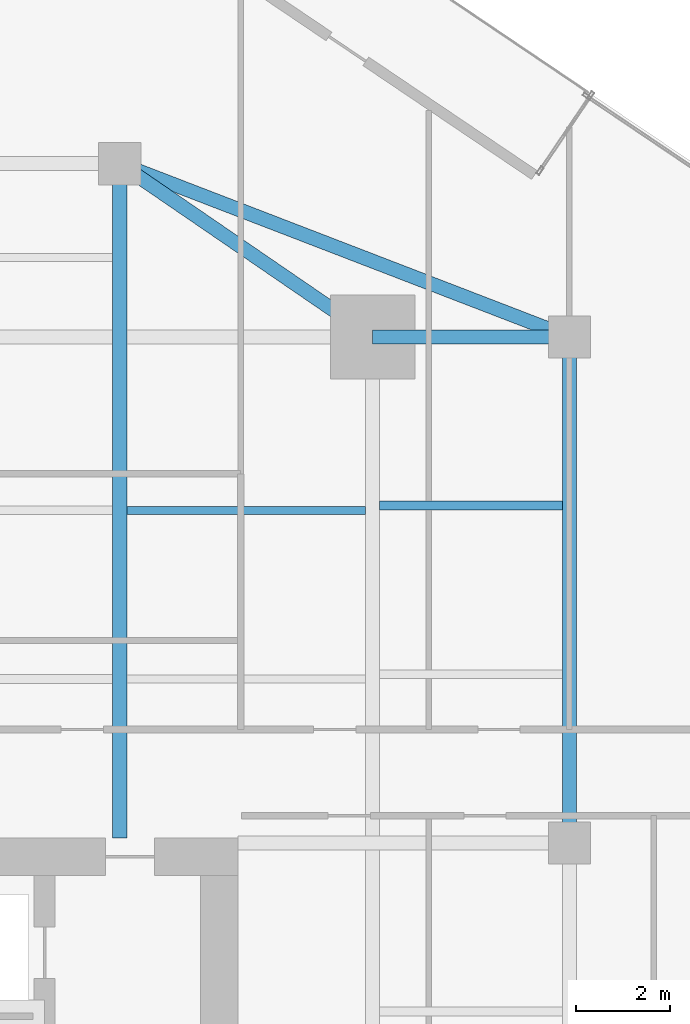
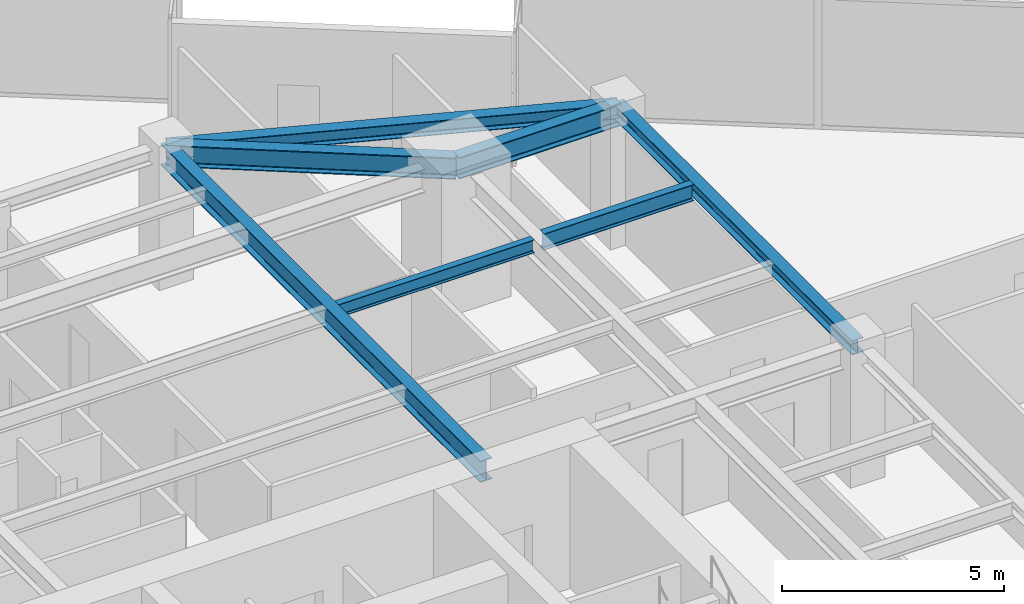
# One storey, part 18 of 27: 7 beams.
"""IFC4 building model written with IfcOpenShell, lengths in metres."""

from ifc_helpers import new_model, si_unit, direction, frame, origin, origin_2d, place, context, subcontext, project, spatial, i_section, extrude, source, transform, mapped, material, material_profile, profile_set, type_object, type_shapes, element, save


model = new_model("IFC4")

# Units and contexts
model_context = context("Model", 3, precision=1e-05, world=origin(), true_north=direction((0.0, 1.0)))
body_context = subcontext(model_context, "Body", "Model", "MODEL_VIEW")
ifc_project = project(units=[si_unit("LENGTHUNIT", "METRE"), si_unit("AREAUNIT", "SQUARE_METRE"), si_unit("VOLUMEUNIT", "CUBIC_METRE"), si_unit("PLANEANGLEUNIT", "RADIAN"), si_unit("MASSUNIT", "GRAM", prefix="KILO")], contexts=[model_context])

# Site, building, storey
site_placement = place(None, origin())
site = spatial("IfcSite", under=ifc_project, at=site_placement, CompositionType="ELEMENT")
building_placement = place(site_placement, origin())
building = spatial("IfcBuilding", under=site, at=building_placement, Name="Krantzveldt Concourse Tower", CompositionType="ELEMENT")
storey_placement = place(building_placement, frame((0.0, 0.0, 189.64990234375)))
storey = spatial("IfcBuildingStorey", under=building, at=storey_placement, Name="L46", CompositionType="ELEMENT", Elevation=189.64990234375)

# Beams
ifc_material = material(Name="Steel S355JR", Category="steel")
ifc_material_profile_1 = material_profile(ifc_material, i_section(OverallWidth=0.300048828125, OverallDepth=0.590087890625, WebThickness=0.012939453125, FlangeThickness=0.02490234375, FilletRadius=0.027099609375, at=origin_2d()), Name="Steel S355JR", Category="steel")
ifc_profile_set_1 = profile_set([ifc_material_profile_1], Name="Steel S355JR - HEA 600")
beam_type_1 = type_object("IfcBeamType", Name="BM-B-HEA600", PredefinedType="BEAM", material=ifc_profile_set_1)
shared_shape_1 = source(origin(), body_context, "Body", "SweptSolid", [
    extrude(i_section(OverallWidth=0.300048828125, OverallDepth=0.590087890625, WebThickness=0.012939453125, FlangeThickness=0.02490234375, FilletRadius=0.027099609375, at=origin_2d()), origin(), (0.0, 0.0, 1.0), 14.39990234375),
])
beam_1_placement = place(storey_placement, frame((41.39990234375, 26.800048828125, 3.375), z_axis=(0.0, 1.0, 0.0), x_axis=(-1.0, 0.0, 0.0)))
element("IfcBeam", 1, at=beam_1_placement, inside=storey, type_object=beam_type_1, Name="L46 Tower Girder BG-CNE", PredefinedType="BEAM", context=body_context, shape_type="MappedRepresentation", body=[
    mapped(shared_shape_1, transform((0.0, 0.0, 0.0), x_axis=(1.0, 0.0, 0.0), y_axis=(0.0, 1.0, 0.0), z_axis=(0.0, 0.0, 1.0), scale=1.0)),
])
shared_shape_2 = source(origin(), body_context, "Body", "SweptSolid", [
    extrude(i_section(OverallWidth=0.300048828125, OverallDepth=0.590087890625, WebThickness=0.012939453125, FlangeThickness=0.02490234375, FilletRadius=0.027099609375, at=origin_2d()), origin(), (0.0, 0.0, 1.0), 4.199951171875),
])
beam_2_placement = place(storey_placement, frame((46.800048828125, 37.5, 3.375), z_axis=(1.0, 0.0, 0.0), x_axis=(0.0, 1.0, 0.0)))
element("IfcBeam", 2, at=beam_2_placement, inside=storey, type_object=beam_type_1, Name="L46 Tower Girder BR-RR3", PredefinedType="BEAM", context=body_context, shape_type="MappedRepresentation", body=[
    mapped(shared_shape_2, transform((0.0, 0.0, 0.0), x_axis=(1.0, 0.0, 0.0), y_axis=(0.0, 1.0, 0.0), z_axis=(0.0, 0.0, 1.0), scale=1.0)),
])
shared_shape_3 = source(origin(), body_context, "Body", "SweptSolid", [
    extrude(i_section(OverallWidth=0.300048828125, OverallDepth=0.590087890625, WebThickness=0.012939453125, FlangeThickness=0.02490234375, FilletRadius=0.027099609375, at=origin_2d()), origin(), (0.0, 0.0, 1.0), 6.546142578125),
])
type_shapes(beam_type_1, [shared_shape_1, shared_shape_2, shared_shape_3])
beam_3_placement = place(storey_placement, frame((46.800048828125, 37.5, 3.375), z_axis=(-0.824942999484, 0.565215930068, 0.0), x_axis=(-0.565215930068, -0.824942999484, 0.0)))
element("IfcBeam", 3, at=beam_3_placement, inside=storey, type_object=beam_type_1, Name="L46 Tower Girder BR-RR4", PredefinedType="BEAM", context=body_context, shape_type="MappedRepresentation", body=[
    mapped(shared_shape_3, transform((0.0, 0.0, 0.0), x_axis=(1.0, 0.0, 0.0), y_axis=(0.0, 1.0, 0.0), z_axis=(0.0, 0.0, 1.0), scale=1.0)),
])
ifc_material_profile_2 = material_profile(ifc_material, i_section(OverallWidth=0.300048828125, OverallDepth=0.389892578125, WebThickness=0.010986328125, FlangeThickness=0.01904296875, FilletRadius=0.027099609375, at=origin_2d()), Name="Steel S355JR", Category="steel")
ifc_profile_set_2 = profile_set([ifc_material_profile_2], Name="Steel S355JR - HEA 400")
beam_type_2 = type_object("IfcBeamType", Name="BM-SP-HEA400", PredefinedType="SPANDREL", material=ifc_profile_set_2)
shared_shape_4 = source(origin(), body_context, "Body", "SweptSolid", [
    extrude(i_section(OverallWidth=0.300048828125, OverallDepth=0.389892578125, WebThickness=0.010986328125, FlangeThickness=0.01904296875, FilletRadius=0.027099609375, at=origin_2d()), origin(), (0.0, 0.0, 1.0), 10.800048828125),
])
beam_4_placement = place(storey_placement, frame((51.0, 37.5, 3.47509765625), z_axis=(0.0, -1.0, 0.0), x_axis=(1.0, 0.0, 0.0)))
element("IfcBeam", 4, at=beam_4_placement, inside=storey, type_object=beam_type_2, Name="L46 Tower Girder SP-R06", PredefinedType="SPANDREL", context=body_context, shape_type="MappedRepresentation", body=[
    mapped(shared_shape_4, transform((0.0, 0.0, 0.0), x_axis=(1.0, 0.0, 0.0), y_axis=(0.0, 1.0, 0.0), z_axis=(0.0, 0.0, 1.0), scale=1.0)),
])
shared_shape_5 = source(origin(), body_context, "Body", "SweptSolid", [
    extrude(i_section(OverallWidth=0.300048828125, OverallDepth=0.389892578125, WebThickness=0.010986328125, FlangeThickness=0.01904296875, FilletRadius=0.027099609375, at=origin_2d()), origin(), (0.0, 0.0, 1.0), 10.288330078125),
])
type_shapes(beam_type_2, [shared_shape_4, shared_shape_5])
beam_5_placement = place(storey_placement, frame((41.39990234375, 41.199951171875, 3.47509765625), z_axis=(0.933097690408, -0.359622997257, 0.0), x_axis=(0.359622997257, 0.933097690408, 0.0)))
element("IfcBeam", 5, at=beam_5_placement, inside=storey, type_object=beam_type_2, Name="L46 Tower Girder SP-R05", PredefinedType="SPANDREL", context=body_context, shape_type="MappedRepresentation", body=[
    mapped(shared_shape_5, transform((0.0, 0.0, 0.0), x_axis=(1.0, 0.0, 0.0), y_axis=(0.0, 1.0, 0.0), z_axis=(0.0, 0.0, 1.0), scale=1.0)),
])
ifc_material_profile_3 = material_profile(ifc_material, i_section(OverallWidth=0.169921875, OverallDepth=0.360107421875, WebThickness=0.008056640625, FlangeThickness=0.0126953125, FilletRadius=0.01806640625, at=origin_2d()), Name="Steel S355JR", Category="steel")
ifc_profile_set_3 = profile_set([ifc_material_profile_3], Name="Steel S355JR - IPE 360")
beam_type_3 = type_object("IfcBeamType", Name="BM-J-IPE360", PredefinedType="JOIST", material=ifc_profile_set_3)
shared_shape_6 = source(origin(), body_context, "Body", "SweptSolid", [
    extrude(i_section(OverallWidth=0.169921875, OverallDepth=0.360107421875, WebThickness=0.008056640625, FlangeThickness=0.0126953125, FilletRadius=0.01806640625, at=origin_2d()), origin(), (0.0, 0.0, 1.0), 5.099853515625),
])
type_shapes(beam_type_3, [shared_shape_6])
beam_6_placement = place(storey_placement, frame((41.550048828125, 33.800048828125, 3.489990234375), z_axis=(1.0, 0.0, 0.0), x_axis=(0.0, 1.0, 0.0)))
element("IfcBeam", 6, at=beam_6_placement, inside=storey, type_object=beam_type_3, Name="L46 Secondary Floor Joist JN-E2", PredefinedType="JOIST", context=body_context, shape_type="MappedRepresentation", body=[
    mapped(shared_shape_6, transform((0.0, 0.0, 0.0), x_axis=(1.0, 0.0, 0.0), y_axis=(0.0, 1.0, 0.0), z_axis=(0.0, 0.0, 1.0), scale=1.0)),
])
ifc_material_profile_4 = material_profile(ifc_material, i_section(OverallWidth=0.18994140625, OverallDepth=0.449951171875, WebThickness=0.009521484375, FlangeThickness=0.0146484375, FilletRadius=0.02099609375, at=origin_2d()), Name="Steel S355JR", Category="steel")
ifc_profile_set_4 = profile_set([ifc_material_profile_4], Name="Steel S355JR - IPE 450")
beam_type_4 = type_object("IfcBeamType", Name="BM-J-IPE450", PredefinedType="JOIST", material=ifc_profile_set_4)
shared_shape_7 = source(origin(), body_context, "Body", "SweptSolid", [
    extrude(i_section(OverallWidth=0.18994140625, OverallDepth=0.449951171875, WebThickness=0.009521484375, FlangeThickness=0.0146484375, FilletRadius=0.02099609375, at=origin_2d()), origin(), (0.0, 0.0, 1.0), 3.900146484375),
])
type_shapes(beam_type_4, [shared_shape_7])
beam_7_placement = place(storey_placement, frame((46.949951171875, 33.89990234375, 3.445068359375), z_axis=(1.0, 0.0, 0.0), x_axis=(0.0, 1.0, 0.0)))
element("IfcBeam", 7, at=beam_7_placement, inside=storey, type_object=beam_type_4, Name="L46 Secondary Floor Joist JE-4", PredefinedType="JOIST", context=body_context, shape_type="MappedRepresentation", body=[
    mapped(shared_shape_7, transform((0.0, 0.0, 0.0), x_axis=(1.0, 0.0, 0.0), y_axis=(0.0, 1.0, 0.0), z_axis=(0.0, 0.0, 1.0), scale=1.0)),
])

save(model, "model.ifc")
